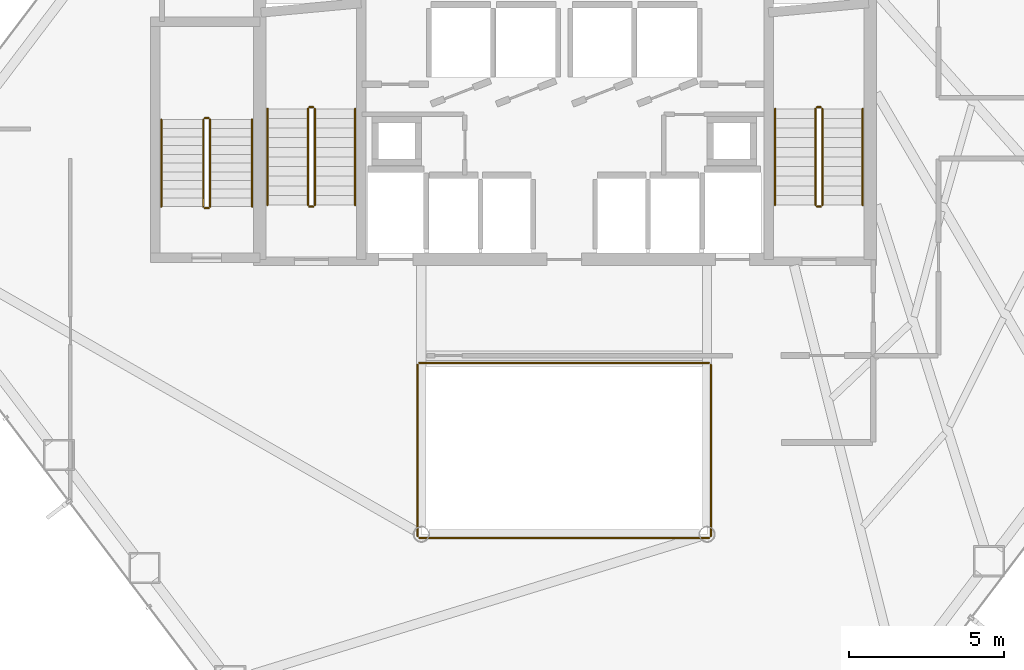
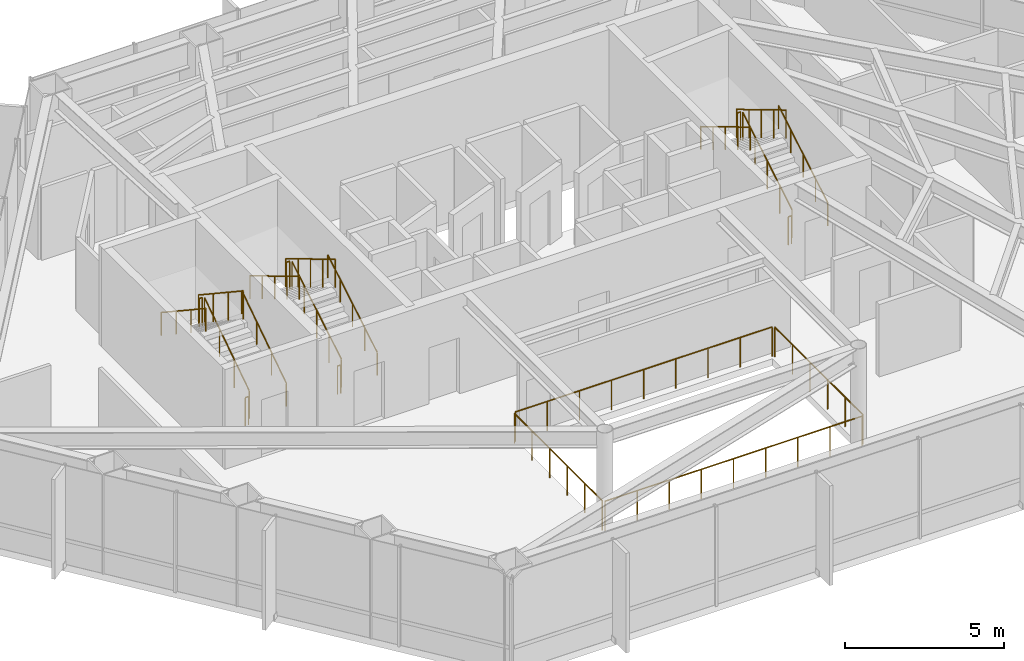
# One storey, part 25 of 25: 22 railings.
"""IFC4 building model written with IfcOpenShell, lengths in metres."""

from ifc_helpers import new_model, si_unit, direction, frame, origin, origin_2d, place, context, subcontext, project, spatial, circle, extrude, material, type_object, element, save


model = new_model("IFC4")

# Units and contexts
model_context = context("Model", 3, precision=1e-05, world=origin(), true_north=direction((0.0, 1.0)))
body_context = subcontext(model_context, "Body", "Model", "MODEL_VIEW")
ifc_project = project(units=[si_unit("LENGTHUNIT", "METRE"), si_unit("AREAUNIT", "SQUARE_METRE"), si_unit("VOLUMEUNIT", "CUBIC_METRE"), si_unit("PLANEANGLEUNIT", "RADIAN"), si_unit("MASSUNIT", "GRAM", prefix="KILO")], contexts=[model_context])

# Site, building, storey
site_placement = place(None, origin())
site = spatial("IfcSite", under=ifc_project, at=site_placement, CompositionType="ELEMENT")
building_placement = place(site_placement, origin())
building = spatial("IfcBuilding", under=site, at=building_placement, Name="Zarrinselat Tower", CompositionType="ELEMENT")
storey_placement = place(building_placement, frame((0.0, 0.0, 39.780029296875)))
storey = spatial("IfcBuildingStorey", under=building, at=storey_placement, Name="L09", CompositionType="ELEMENT", Elevation=39.780029296875)

# Railings
ifc_material_1 = material(Name="Double Low-E Laminated Solar Glass", Category="glass")
railing_type_1 = type_object("IfcRailingType", Name="RLG-ATRIUM-BAL", PredefinedType="BALUSTRADE", material=ifc_material_1)
railing_1_placement = place(storey_placement, frame((33.739990234375, 24.280029296875, 0.0)))
element("IfcRailing", 1, at=railing_1_placement, inside=storey, type_object=railing_type_1, Name="L09 Atrium Void Glass Balustrade S", PredefinedType="BALUSTRADE", context=body_context, shape_type="SweptSolid", body=[
    extrude(circle(Radius=0.02392578125, at=origin_2d()), frame((0.0, 0.0, 1.1259765625), z_axis=(1.0, 0.0, 0.0), x_axis=(0.0, 1.0, 0.0)), (0.0, 0.0, 1.0), 9.320068359375),
    extrude(circle(Radius=0.02099609375, at=origin_2d()), origin(), (0.0, 0.0, 1.0), 1.099853515625),
    extrude(circle(Radius=0.02099609375, at=origin_2d()), frame((1.1650390625, 0.0, 0.0)), (0.0, 0.0, 1.0), 1.099853515625),
    extrude(circle(Radius=0.02099609375, at=origin_2d()), frame((2.330078125, 0.0, 0.0)), (0.0, 0.0, 1.0), 1.099853515625),
    extrude(circle(Radius=0.02099609375, at=origin_2d()), frame((3.4951171875, 0.0, 0.0)), (0.0, 0.0, 1.0), 1.099853515625),
    extrude(circle(Radius=0.02099609375, at=origin_2d()), frame((4.66015625, 0.0, 0.0)), (0.0, 0.0, 1.0), 1.099853515625),
    extrude(circle(Radius=0.02099609375, at=origin_2d()), frame((5.824951171875, 0.0, 0.0)), (0.0, 0.0, 1.0), 1.099853515625),
    extrude(circle(Radius=0.02099609375, at=origin_2d()), frame((6.989990234375, 0.0, 0.0)), (0.0, 0.0, 1.0), 1.099853515625),
    extrude(circle(Radius=0.02099609375, at=origin_2d()), frame((8.155029296875, 0.0, 0.0)), (0.0, 0.0, 1.0), 1.099853515625),
    extrude(circle(Radius=0.02099609375, at=origin_2d()), frame((9.320068359375, 0.0, 0.0)), (0.0, 0.0, 1.0), 1.099853515625),
])
railing_2_placement = place(storey_placement, frame((43.1201171875, 24.340087890625, 0.0)))
element("IfcRailing", 2, at=railing_2_placement, inside=storey, type_object=railing_type_1, Name="L09 Atrium Void Glass Balustrade E", PredefinedType="BALUSTRADE", context=body_context, shape_type="SweptSolid", body=[
    extrude(circle(Radius=0.02392578125, at=origin_2d()), frame((0.0, 0.0, 1.1259765625), z_axis=(0.0, 1.0, 0.0), x_axis=(-1.0, 0.0, 0.0)), (0.0, 0.0, 1.0), 5.52001953125),
    extrude(circle(Radius=0.02099609375, at=origin_2d()), origin(), (0.0, 0.0, 1.0), 1.099853515625),
    extrude(circle(Radius=0.02099609375, at=origin_2d()), frame((0.0, 1.10400390625, 0.0)), (0.0, 0.0, 1.0), 1.099853515625),
    extrude(circle(Radius=0.02099609375, at=origin_2d()), frame((0.0, 2.2080078125, 0.0)), (0.0, 0.0, 1.0), 1.099853515625),
    extrude(circle(Radius=0.02099609375, at=origin_2d()), frame((0.0, 3.31201171875, 0.0)), (0.0, 0.0, 1.0), 1.099853515625),
    extrude(circle(Radius=0.02099609375, at=origin_2d()), frame((0.0, 4.416015625, 0.0)), (0.0, 0.0, 1.0), 1.099853515625),
    extrude(circle(Radius=0.02099609375, at=origin_2d()), frame((0.0, 5.52001953125, 0.0)), (0.0, 0.0, 1.0), 1.099853515625),
])
railing_3_placement = place(storey_placement, frame((43.06005859375, 29.919921875, 0.0)))
element("IfcRailing", 3, at=railing_3_placement, inside=storey, type_object=railing_type_1, Name="L09 Atrium Void Glass Balustrade N", PredefinedType="BALUSTRADE", context=body_context, shape_type="SweptSolid", body=[
    extrude(circle(Radius=0.02392578125, at=origin_2d()), frame((0.0, 0.0, 1.1259765625), z_axis=(-1.0, 0.0, 0.0), x_axis=(0.0, -1.0, 0.0)), (0.0, 0.0, 1.0), 9.320068359375),
    extrude(circle(Radius=0.02099609375, at=origin_2d()), origin(), (0.0, 0.0, 1.0), 1.099853515625),
    extrude(circle(Radius=0.02099609375, at=origin_2d()), frame((-1.1650390625, 0.0, 0.0)), (0.0, 0.0, 1.0), 1.099853515625),
    extrude(circle(Radius=0.02099609375, at=origin_2d()), frame((-2.330078125, 0.0, 0.0)), (0.0, 0.0, 1.0), 1.099853515625),
    extrude(circle(Radius=0.02099609375, at=origin_2d()), frame((-3.4951171875, 0.0, 0.0)), (0.0, 0.0, 1.0), 1.099853515625),
    extrude(circle(Radius=0.02099609375, at=origin_2d()), frame((-4.66015625, 0.0, 0.0)), (0.0, 0.0, 1.0), 1.099853515625),
    extrude(circle(Radius=0.02099609375, at=origin_2d()), frame((-5.824951171875, 0.0, 0.0)), (0.0, 0.0, 1.0), 1.099853515625),
    extrude(circle(Radius=0.02099609375, at=origin_2d()), frame((-6.989990234375, 0.0, 0.0)), (0.0, 0.0, 1.0), 1.099853515625),
    extrude(circle(Radius=0.02099609375, at=origin_2d()), frame((-8.155029296875, 0.0, 0.0)), (0.0, 0.0, 1.0), 1.099853515625),
    extrude(circle(Radius=0.02099609375, at=origin_2d()), frame((-9.320068359375, 0.0, 0.0)), (0.0, 0.0, 1.0), 1.099853515625),
])
railing_4_placement = place(storey_placement, frame((33.679931640625, 29.860107421875, 0.0)))
element("IfcRailing", 4, at=railing_4_placement, inside=storey, type_object=railing_type_1, Name="L09 Atrium Void Glass Balustrade W", PredefinedType="BALUSTRADE", context=body_context, shape_type="SweptSolid", body=[
    extrude(circle(Radius=0.02392578125, at=origin_2d()), frame((0.0, 0.0, 1.1259765625), z_axis=(0.0, -1.0, 0.0), x_axis=(1.0, 0.0, 0.0)), (0.0, 0.0, 1.0), 5.52001953125),
    extrude(circle(Radius=0.02099609375, at=origin_2d()), origin(), (0.0, 0.0, 1.0), 1.099853515625),
    extrude(circle(Radius=0.02099609375, at=origin_2d()), frame((0.0, -1.10400390625, 0.0)), (0.0, 0.0, 1.0), 1.099853515625),
    extrude(circle(Radius=0.02099609375, at=origin_2d()), frame((0.0, -2.2080078125, 0.0)), (0.0, 0.0, 1.0), 1.099853515625),
    extrude(circle(Radius=0.02099609375, at=origin_2d()), frame((0.0, -3.31201171875, 0.0)), (0.0, 0.0, 1.0), 1.099853515625),
    extrude(circle(Radius=0.02099609375, at=origin_2d()), frame((0.0, -4.416015625, 0.0)), (0.0, 0.0, 1.0), 1.099853515625),
    extrude(circle(Radius=0.02099609375, at=origin_2d()), frame((0.0, -5.52001953125, 0.0)), (0.0, 0.0, 1.0), 1.099853515625),
])
ifc_material_2 = material(Name="Steel S355J2", Category="steel")
railing_type_2 = type_object("IfcRailingType", Name="RLG-STAIR-GUARD", PredefinedType="GUARDRAIL", material=ifc_material_2)
railing_5_placement = place(storey_placement, frame((30.3701171875, 35.0, 0.185546875)))
element("IfcRailing", 5, at=railing_5_placement, inside=storey, type_object=railing_type_2, Name="L09 ST-1 stair guard 1", PredefinedType="GUARDRAIL", context=body_context, shape_type="SweptSolid", body=[
    extrude(circle(Radius=0.02392578125, at=origin_2d()), frame((0.0, 0.0, 1.076171875), z_axis=(0.0, 0.858171985069, 0.513362293163), x_axis=(-1.0, 0.0, 0.0)), (0.0, 0.0, 1.0), 3.612548828125),
    extrude(circle(Radius=0.02099609375, at=origin_2d()), origin(), (0.0, 0.0, 1.0), 1.050048828125),
    extrude(circle(Radius=0.02099609375, at=origin_2d()), frame((0.0, 0.77490234375, 0.463623046875)), (0.0, 0.0, 1.0), 1.050048828125),
    extrude(circle(Radius=0.02099609375, at=origin_2d()), frame((0.0, 1.550048828125, 0.92724609375)), (0.0, 0.0, 1.0), 1.050048828125),
    extrude(circle(Radius=0.02099609375, at=origin_2d()), frame((0.0, 2.3251953125, 1.390869140625)), (0.0, 0.0, 1.0), 1.050048828125),
    extrude(circle(Radius=0.02099609375, at=origin_2d()), frame((0.0, 3.10009765625, 1.8544921875)), (0.0, 0.0, 1.0), 1.050048828125),
])
railing_6_placement = place(storey_placement, frame((30.320068359375, 38.14990234375, 2.0400390625)))
element("IfcRailing", 6, at=railing_6_placement, inside=storey, type_object=railing_type_2, Name="L09 ST-1 stair guard 2", PredefinedType="GUARDRAIL", context=body_context, shape_type="SweptSolid", body=[
    extrude(circle(Radius=0.02392578125, at=origin_2d()), frame((0.0, 0.0, 1.076171875), z_axis=(-1.0, 0.0, 0.0), x_axis=(0.0, -1.0, 0.0)), (0.0, 0.0, 1.0), 0.1201171875),
    extrude(circle(Radius=0.02099609375, at=origin_2d()), origin(), (0.0, 0.0, 1.0), 1.050048828125),
    extrude(circle(Radius=0.02099609375, at=origin_2d()), frame((-0.1201171875, 0.0, 0.0)), (0.0, 0.0, 1.0), 1.050048828125),
])
railing_7_placement = place(storey_placement, frame((30.14990234375, 38.10009765625, 2.225341796875)))
element("IfcRailing", 7, at=railing_7_placement, inside=storey, type_object=railing_type_2, Name="L09 ST-1 stair guard 3", PredefinedType="GUARDRAIL", context=body_context, shape_type="SweptSolid", body=[
    extrude(circle(Radius=0.02392578125, at=origin_2d()), frame((0.0, 0.0, 1.076171875), z_axis=(0.0, -0.858142210651, 0.513412062869), x_axis=(1.0, 0.0, 0.0)), (0.0, 0.0, 1.0), 3.612548828125),
    extrude(circle(Radius=0.02099609375, at=origin_2d()), origin(), (0.0, 0.0, 1.0), 1.050048828125),
    extrude(circle(Radius=0.02099609375, at=origin_2d()), frame((0.0, -0.77490234375, 0.463623046875)), (0.0, 0.0, 1.0), 1.050048828125),
    extrude(circle(Radius=0.02099609375, at=origin_2d()), frame((0.0, -1.550048828125, 0.92724609375)), (0.0, 0.0, 1.0), 1.050048828125),
    extrude(circle(Radius=0.02099609375, at=origin_2d()), frame((0.0, -2.3251953125, 1.39111328125)), (0.0, 0.0, 1.0), 1.050048828125),
    extrude(circle(Radius=0.02099609375, at=origin_2d()), frame((0.0, -3.10009765625, 1.854736328125)), (0.0, 0.0, 1.0), 1.050048828125),
])
railing_8_placement = place(storey_placement, frame((30.320068359375, 34.949951171875, 0.0)))
element("IfcRailing", 8, at=railing_8_placement, inside=storey, type_object=railing_type_2, Name="L09 ST-1 stair guard 4", PredefinedType="GUARDRAIL", context=body_context, shape_type="SweptSolid", body=[
    extrude(circle(Radius=0.02392578125, at=origin_2d()), frame((0.0, 0.0, 1.076171875), z_axis=(-1.0, 0.0, 0.0), x_axis=(0.0, -1.0, 0.0)), (0.0, 0.0, 1.0), 0.1201171875),
    extrude(circle(Radius=0.02099609375, at=origin_2d()), origin(), (0.0, 0.0, 1.0), 1.050048828125),
    extrude(circle(Radius=0.02099609375, at=origin_2d()), frame((-0.1201171875, 0.0, 0.0)), (0.0, 0.0, 1.0), 1.050048828125),
])
railing_9_placement = place(storey_placement, frame((46.7099609375, 35.0, 0.185546875)))
element("IfcRailing", 9, at=railing_9_placement, inside=storey, type_object=railing_type_2, Name="L09 ST-2 stair guard 1", PredefinedType="GUARDRAIL", context=body_context, shape_type="SweptSolid", body=[
    extrude(circle(Radius=0.02392578125, at=origin_2d()), frame((0.0, 0.0, 1.076171875), z_axis=(0.0, 0.858171985069, 0.513362293163), x_axis=(-1.0, 0.0, 0.0)), (0.0, 0.0, 1.0), 3.612548828125),
    extrude(circle(Radius=0.02099609375, at=origin_2d()), origin(), (0.0, 0.0, 1.0), 1.050048828125),
    extrude(circle(Radius=0.02099609375, at=origin_2d()), frame((0.0, 0.77490234375, 0.463623046875)), (0.0, 0.0, 1.0), 1.050048828125),
    extrude(circle(Radius=0.02099609375, at=origin_2d()), frame((0.0, 1.550048828125, 0.92724609375)), (0.0, 0.0, 1.0), 1.050048828125),
    extrude(circle(Radius=0.02099609375, at=origin_2d()), frame((0.0, 2.3251953125, 1.390869140625)), (0.0, 0.0, 1.0), 1.050048828125),
    extrude(circle(Radius=0.02099609375, at=origin_2d()), frame((0.0, 3.10009765625, 1.8544921875)), (0.0, 0.0, 1.0), 1.050048828125),
])
railing_10_placement = place(storey_placement, frame((46.659912109375, 38.14990234375, 2.0400390625)))
element("IfcRailing", 10, at=railing_10_placement, inside=storey, type_object=railing_type_2, Name="L09 ST-2 stair guard 2", PredefinedType="GUARDRAIL", context=body_context, shape_type="SweptSolid", body=[
    extrude(circle(Radius=0.02392578125, at=origin_2d()), frame((0.0, 0.0, 1.076171875), z_axis=(-1.0, 0.0, 0.0), x_axis=(0.0, -1.0, 0.0)), (0.0, 0.0, 1.0), 0.119873046875),
    extrude(circle(Radius=0.02099609375, at=origin_2d()), origin(), (0.0, 0.0, 1.0), 1.050048828125),
    extrude(circle(Radius=0.02099609375, at=origin_2d()), frame((-0.119873046875, 0.0, 0.0)), (0.0, 0.0, 1.0), 1.050048828125),
])
railing_11_placement = place(storey_placement, frame((46.489990234375, 38.10009765625, 2.225341796875)))
element("IfcRailing", 11, at=railing_11_placement, inside=storey, type_object=railing_type_2, Name="L09 ST-2 stair guard 3", PredefinedType="GUARDRAIL", context=body_context, shape_type="SweptSolid", body=[
    extrude(circle(Radius=0.02392578125, at=origin_2d()), frame((0.0, 0.0, 1.076171875), z_axis=(0.0, -0.858142210651, 0.513412062869), x_axis=(1.0, 0.0, 0.0)), (0.0, 0.0, 1.0), 3.612548828125),
    extrude(circle(Radius=0.02099609375, at=origin_2d()), origin(), (0.0, 0.0, 1.0), 1.050048828125),
    extrude(circle(Radius=0.02099609375, at=origin_2d()), frame((0.0, -0.77490234375, 0.463623046875)), (0.0, 0.0, 1.0), 1.050048828125),
    extrude(circle(Radius=0.02099609375, at=origin_2d()), frame((0.0, -1.550048828125, 0.92724609375)), (0.0, 0.0, 1.0), 1.050048828125),
    extrude(circle(Radius=0.02099609375, at=origin_2d()), frame((0.0, -2.3251953125, 1.39111328125)), (0.0, 0.0, 1.0), 1.050048828125),
    extrude(circle(Radius=0.02099609375, at=origin_2d()), frame((0.0, -3.10009765625, 1.854736328125)), (0.0, 0.0, 1.0), 1.050048828125),
])
railing_12_placement = place(storey_placement, frame((46.659912109375, 34.949951171875, 0.0)))
element("IfcRailing", 12, at=railing_12_placement, inside=storey, type_object=railing_type_2, Name="L09 ST-2 stair guard 4", PredefinedType="GUARDRAIL", context=body_context, shape_type="SweptSolid", body=[
    extrude(circle(Radius=0.02392578125, at=origin_2d()), frame((0.0, 0.0, 1.076171875), z_axis=(-1.0, 0.0, 0.0), x_axis=(0.0, -1.0, 0.0)), (0.0, 0.0, 1.0), 0.119873046875),
    extrude(circle(Radius=0.02099609375, at=origin_2d()), origin(), (0.0, 0.0, 1.0), 1.050048828125),
    extrude(circle(Radius=0.02099609375, at=origin_2d()), frame((-0.119873046875, 0.0, 0.0)), (0.0, 0.0, 1.0), 1.050048828125),
])
railing_13_placement = place(storey_placement, frame((27.0, 34.949951171875, 0.185546875)))
element("IfcRailing", 13, at=railing_13_placement, inside=storey, type_object=railing_type_2, Name="L09 ST-3 stair guard 1", PredefinedType="GUARDRAIL", context=body_context, shape_type="SweptSolid", body=[
    extrude(circle(Radius=0.02392578125, at=origin_2d()), frame((0.0, 0.0, 1.076171875), z_axis=(0.0, 0.833724036255, 0.552181339209), x_axis=(-1.0, 0.0, 0.0)), (0.0, 0.0, 1.0), 3.3583984375),
    extrude(circle(Radius=0.02099609375, at=origin_2d()), origin(), (0.0, 0.0, 1.0), 1.050048828125),
    extrude(circle(Radius=0.02099609375, at=origin_2d()), frame((0.0, 0.933349609375, 0.6181640625)), (0.0, 0.0, 1.0), 1.050048828125),
    extrude(circle(Radius=0.02099609375, at=origin_2d()), frame((0.0, 1.86669921875, 1.236328125)), (0.0, 0.0, 1.0), 1.050048828125),
    extrude(circle(Radius=0.02099609375, at=origin_2d()), frame((0.0, 2.800048828125, 1.8544921875)), (0.0, 0.0, 1.0), 1.050048828125),
])
railing_14_placement = place(storey_placement, frame((26.949951171875, 37.800048828125, 2.0400390625)))
element("IfcRailing", 14, at=railing_14_placement, inside=storey, type_object=railing_type_2, Name="L09 ST-3 stair guard 2", PredefinedType="GUARDRAIL", context=body_context, shape_type="SweptSolid", body=[
    extrude(circle(Radius=0.02392578125, at=origin_2d()), frame((0.0, 0.0, 1.076171875), z_axis=(-1.0, 0.0, 0.0), x_axis=(0.0, -1.0, 0.0)), (0.0, 0.0, 1.0), 0.119873046875),
    extrude(circle(Radius=0.02099609375, at=origin_2d()), origin(), (0.0, 0.0, 1.0), 1.050048828125),
    extrude(circle(Radius=0.02099609375, at=origin_2d()), frame((-0.119873046875, 0.0, 0.0)), (0.0, 0.0, 1.0), 1.050048828125),
])
railing_15_placement = place(storey_placement, frame((26.780029296875, 37.75, 2.225341796875)))
element("IfcRailing", 15, at=railing_15_placement, inside=storey, type_object=railing_type_2, Name="L09 ST-3 stair guard 3", PredefinedType="GUARDRAIL", context=body_context, shape_type="SweptSolid", body=[
    extrude(circle(Radius=0.02392578125, at=origin_2d()), frame((0.0, 0.0, 1.076171875), z_axis=(0.0, -0.833690570297, 0.55223186525), x_axis=(1.0, 0.0, 0.0)), (0.0, 0.0, 1.0), 3.358642578125),
    extrude(circle(Radius=0.02099609375, at=origin_2d()), origin(), (0.0, 0.0, 1.0), 1.050048828125),
    extrude(circle(Radius=0.02099609375, at=origin_2d()), frame((0.0, -0.933349609375, 0.6181640625)), (0.0, 0.0, 1.0), 1.050048828125),
    extrude(circle(Radius=0.02099609375, at=origin_2d()), frame((0.0, -1.86669921875, 1.236572265625)), (0.0, 0.0, 1.0), 1.050048828125),
    extrude(circle(Radius=0.02099609375, at=origin_2d()), frame((0.0, -2.800048828125, 1.854736328125)), (0.0, 0.0, 1.0), 1.050048828125),
])
railing_16_placement = place(storey_placement, frame((26.949951171875, 34.89990234375, 0.0)))
element("IfcRailing", 16, at=railing_16_placement, inside=storey, type_object=railing_type_2, Name="L09 ST-3 stair guard 4", PredefinedType="GUARDRAIL", context=body_context, shape_type="SweptSolid", body=[
    extrude(circle(Radius=0.02392578125, at=origin_2d()), frame((0.0, 0.0, 1.076171875), z_axis=(-1.0, 0.0, 0.0), x_axis=(0.0, -1.0, 0.0)), (0.0, 0.0, 1.0), 0.119873046875),
    extrude(circle(Radius=0.02099609375, at=origin_2d()), origin(), (0.0, 0.0, 1.0), 1.050048828125),
    extrude(circle(Radius=0.02099609375, at=origin_2d()), frame((-0.119873046875, 0.0, 0.0)), (0.0, 0.0, 1.0), 1.050048828125),
])
ifc_material_3 = material(Name="Steel S355J2", Category="steel")
railing_type_3 = type_object("IfcRailingType", Name="RLG-STAIR-HAND", PredefinedType="HANDRAIL", material=ifc_material_3)
railing_17_placement = place(storey_placement, frame((31.669921875, 35.0, 0.185546875)))
element("IfcRailing", 17, at=railing_17_placement, inside=storey, type_object=railing_type_3, Name="L09 ST-1 stair handrail 1", PredefinedType="HANDRAIL", context=body_context, shape_type="SweptSolid", body=[
    extrude(circle(Radius=0.02392578125, at=origin_2d()), frame((0.0, 0.0, 0.8759765625), z_axis=(0.0, 0.858171985069, 0.513362293163), x_axis=(-1.0, 0.0, 0.0)), (0.0, 0.0, 1.0), 3.612548828125),
    extrude(circle(Radius=0.02099609375, at=origin_2d()), origin(), (0.0, 0.0, 1.0), 0.849853515625),
    extrude(circle(Radius=0.02099609375, at=origin_2d()), frame((0.0, 0.77490234375, 0.463623046875)), (0.0, 0.0, 1.0), 0.849853515625),
    extrude(circle(Radius=0.02099609375, at=origin_2d()), frame((0.0, 1.550048828125, 0.92724609375)), (0.0, 0.0, 1.0), 0.849853515625),
    extrude(circle(Radius=0.02099609375, at=origin_2d()), frame((0.0, 2.3251953125, 1.390869140625)), (0.0, 0.0, 1.0), 0.849853515625),
    extrude(circle(Radius=0.02099609375, at=origin_2d()), frame((0.0, 3.10009765625, 1.8544921875)), (0.0, 0.0, 1.0), 0.849853515625),
])
railing_18_placement = place(storey_placement, frame((28.85009765625, 38.10009765625, 2.225341796875)))
element("IfcRailing", 18, at=railing_18_placement, inside=storey, type_object=railing_type_3, Name="L09 ST-1 stair handrail 2", PredefinedType="HANDRAIL", context=body_context, shape_type="SweptSolid", body=[
    extrude(circle(Radius=0.02392578125, at=origin_2d()), frame((0.0, 0.0, 0.8759765625), z_axis=(0.0, -0.858142210651, 0.513412062869), x_axis=(1.0, 0.0, 0.0)), (0.0, 0.0, 1.0), 3.612548828125),
    extrude(circle(Radius=0.02099609375, at=origin_2d()), origin(), (0.0, 0.0, 1.0), 0.849853515625),
    extrude(circle(Radius=0.02099609375, at=origin_2d()), frame((0.0, -0.77490234375, 0.463623046875)), (0.0, 0.0, 1.0), 0.849853515625),
    extrude(circle(Radius=0.02099609375, at=origin_2d()), frame((0.0, -1.550048828125, 0.92724609375)), (0.0, 0.0, 1.0), 0.849853515625),
    extrude(circle(Radius=0.02099609375, at=origin_2d()), frame((0.0, -2.3251953125, 1.39111328125)), (0.0, 0.0, 1.0), 0.849853515625),
    extrude(circle(Radius=0.02099609375, at=origin_2d()), frame((0.0, -3.10009765625, 1.854736328125)), (0.0, 0.0, 1.0), 0.849853515625),
])
railing_19_placement = place(storey_placement, frame((48.010009765625, 35.0, 0.185546875)))
element("IfcRailing", 19, at=railing_19_placement, inside=storey, type_object=railing_type_3, Name="L09 ST-2 stair handrail 1", PredefinedType="HANDRAIL", context=body_context, shape_type="SweptSolid", body=[
    extrude(circle(Radius=0.02392578125, at=origin_2d()), frame((0.0, 0.0, 0.8759765625), z_axis=(0.0, 0.858171985069, 0.513362293163), x_axis=(-1.0, 0.0, 0.0)), (0.0, 0.0, 1.0), 3.612548828125),
    extrude(circle(Radius=0.02099609375, at=origin_2d()), origin(), (0.0, 0.0, 1.0), 0.849853515625),
    extrude(circle(Radius=0.02099609375, at=origin_2d()), frame((0.0, 0.77490234375, 0.463623046875)), (0.0, 0.0, 1.0), 0.849853515625),
    extrude(circle(Radius=0.02099609375, at=origin_2d()), frame((0.0, 1.550048828125, 0.92724609375)), (0.0, 0.0, 1.0), 0.849853515625),
    extrude(circle(Radius=0.02099609375, at=origin_2d()), frame((0.0, 2.3251953125, 1.390869140625)), (0.0, 0.0, 1.0), 0.849853515625),
    extrude(circle(Radius=0.02099609375, at=origin_2d()), frame((0.0, 3.10009765625, 1.8544921875)), (0.0, 0.0, 1.0), 0.849853515625),
])
railing_20_placement = place(storey_placement, frame((45.18994140625, 38.10009765625, 2.225341796875)))
element("IfcRailing", 20, at=railing_20_placement, inside=storey, type_object=railing_type_3, Name="L09 ST-2 stair handrail 2", PredefinedType="HANDRAIL", context=body_context, shape_type="SweptSolid", body=[
    extrude(circle(Radius=0.02392578125, at=origin_2d()), frame((0.0, 0.0, 0.8759765625), z_axis=(0.0, -0.858142210651, 0.513412062869), x_axis=(1.0, 0.0, 0.0)), (0.0, 0.0, 1.0), 3.612548828125),
    extrude(circle(Radius=0.02099609375, at=origin_2d()), origin(), (0.0, 0.0, 1.0), 0.849853515625),
    extrude(circle(Radius=0.02099609375, at=origin_2d()), frame((0.0, -0.77490234375, 0.463623046875)), (0.0, 0.0, 1.0), 0.849853515625),
    extrude(circle(Radius=0.02099609375, at=origin_2d()), frame((0.0, -1.550048828125, 0.92724609375)), (0.0, 0.0, 1.0), 0.849853515625),
    extrude(circle(Radius=0.02099609375, at=origin_2d()), frame((0.0, -2.3251953125, 1.39111328125)), (0.0, 0.0, 1.0), 0.849853515625),
    extrude(circle(Radius=0.02099609375, at=origin_2d()), frame((0.0, -3.10009765625, 1.854736328125)), (0.0, 0.0, 1.0), 0.849853515625),
])
railing_21_placement = place(storey_placement, frame((28.35009765625, 34.949951171875, 0.185546875)))
element("IfcRailing", 21, at=railing_21_placement, inside=storey, type_object=railing_type_3, Name="L09 ST-3 stair handrail 1", PredefinedType="HANDRAIL", context=body_context, shape_type="SweptSolid", body=[
    extrude(circle(Radius=0.02392578125, at=origin_2d()), frame((0.0, 0.0, 0.8759765625), z_axis=(0.0, 0.833724036255, 0.552181339209), x_axis=(-1.0, 0.0, 0.0)), (0.0, 0.0, 1.0), 3.3583984375),
    extrude(circle(Radius=0.02099609375, at=origin_2d()), origin(), (0.0, 0.0, 1.0), 0.849853515625),
    extrude(circle(Radius=0.02099609375, at=origin_2d()), frame((0.0, 0.933349609375, 0.6181640625)), (0.0, 0.0, 1.0), 0.849853515625),
    extrude(circle(Radius=0.02099609375, at=origin_2d()), frame((0.0, 1.86669921875, 1.236328125)), (0.0, 0.0, 1.0), 0.849853515625),
    extrude(circle(Radius=0.02099609375, at=origin_2d()), frame((0.0, 2.800048828125, 1.8544921875)), (0.0, 0.0, 1.0), 0.849853515625),
])
railing_22_placement = place(storey_placement, frame((25.429931640625, 37.75, 2.225341796875)))
element("IfcRailing", 22, at=railing_22_placement, inside=storey, type_object=railing_type_3, Name="L09 ST-3 stair handrail 2", PredefinedType="HANDRAIL", context=body_context, shape_type="SweptSolid", body=[
    extrude(circle(Radius=0.02392578125, at=origin_2d()), frame((0.0, 0.0, 0.8759765625), z_axis=(0.0, -0.833690570297, 0.55223186525), x_axis=(1.0, 0.0, 0.0)), (0.0, 0.0, 1.0), 3.358642578125),
    extrude(circle(Radius=0.02099609375, at=origin_2d()), origin(), (0.0, 0.0, 1.0), 0.849853515625),
    extrude(circle(Radius=0.02099609375, at=origin_2d()), frame((0.0, -0.933349609375, 0.6181640625)), (0.0, 0.0, 1.0), 0.849853515625),
    extrude(circle(Radius=0.02099609375, at=origin_2d()), frame((0.0, -1.86669921875, 1.236572265625)), (0.0, 0.0, 1.0), 0.849853515625),
    extrude(circle(Radius=0.02099609375, at=origin_2d()), frame((0.0, -2.800048828125, 1.854736328125)), (0.0, 0.0, 1.0), 0.849853515625),
])

save(model, "model.ifc")
